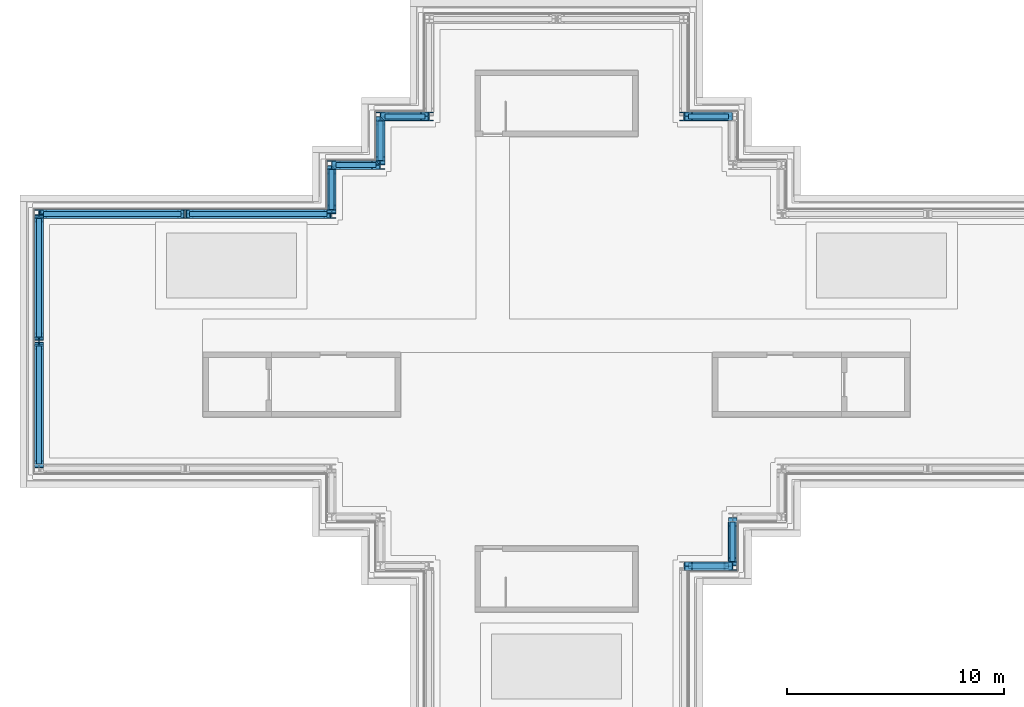
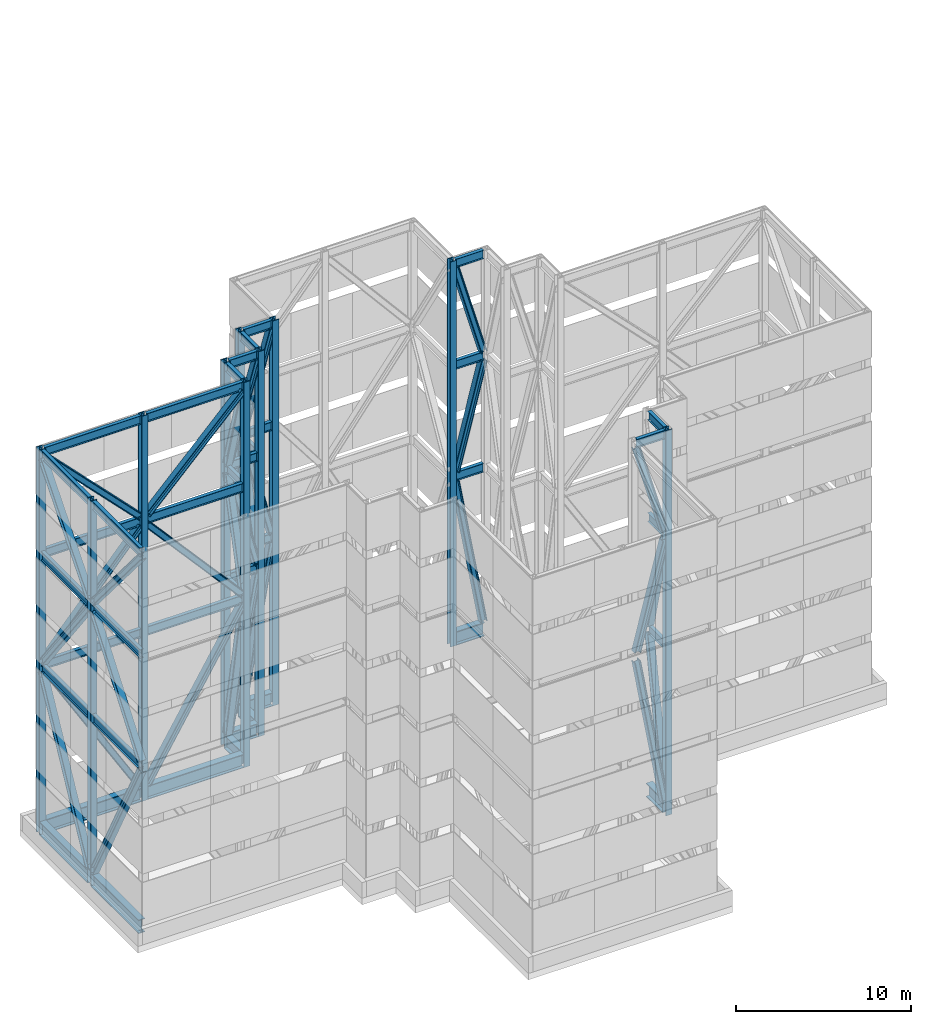
# One storey, part 2 of 19: 83 members.
"""IFC4 building model written with IfcOpenShell, lengths in metres."""

import ifcopenshell
import ifcopenshell.guid

model = None  # the IFC model being written
_history = None  # IfcOwnerHistory: only IFC2X3 demands one
_inside = {}  # id of a spatial element -> (the spatial element, [elements in it])
_under = {}  # id of a project, library or spatial element -> (it, [spatial elements below it])
_declared = {}  # id of a project -> (the project, [libraries it declares])
_typed = {}  # id of a type object -> (the type object, [elements of that type])
_made_of = {}  # id of a material, layer set ... -> (it, [elements and type objects made of it])


def new_model(schema):
    """Start an empty IFC model of exactly this schema.

    Asked for "IFC4X3", IfcOpenShell would pick the latest addendum, in which some entities
    have other attributes; the version numbers below select the first issue.
    IFC2X3 requires an IfcOwnerHistory on every rooted entity: one is made here for all.
    """
    global model, _history
    if schema == "IFC4X3":
        model = ifcopenshell.file(schema_version=(4, 3, 0, 0))
    else:
        model = ifcopenshell.file(schema=schema)
    _inside.clear()
    _under.clear()
    _declared.clear()
    _typed.clear()
    _made_of.clear()
    _history = None
    if model.schema == "IFC2X3":
        org = make("IfcOrganization", Name="unknown")
        user = make(
            "IfcPersonAndOrganization",
            ThePerson=make("IfcPerson", FamilyName="unknown"),
            TheOrganization=org,
        )
        app = make(
            "IfcApplication",
            ApplicationDeveloper=org,
            Version="unknown",
            ApplicationFullName="unknown",
            ApplicationIdentifier="unknown",
        )
        _history = make(
            "IfcOwnerHistory",
            OwningUser=user,
            OwningApplication=app,
            ChangeAction="ADDED",
            CreationDate=0,
        )
    return model


def make(cls, **values):
    """One entity of the class cls with the attributes given. An attribute that is None is left unset."""
    return model.create_entity(
        cls, **{name: value for name, value in values.items() if value is not None}
    )


def rooted(cls, **values):
    """An entity with a GlobalId (a new one), such as an element, a storey or a relation."""
    return make(cls, GlobalId=ifcopenshell.guid.new(), OwnerHistory=_history, **values)


def si_unit(unit_type, name, prefix=None):
    """IfcSIUnit, for example si_unit("LENGTHUNIT", "METRE", prefix="MILLI")."""
    return make("IfcSIUnit", UnitType=unit_type, Prefix=prefix, Name=name)


def assignment(units):
    """IfcUnitAssignment: the units of a project."""
    return None if units is None else make("IfcUnitAssignment", Units=units)


def point(xyz):
    """IfcCartesianPoint."""
    return None if xyz is None else make("IfcCartesianPoint", Coordinates=xyz)


def direction(xyz):
    """IfcDirection."""
    return None if xyz is None else make("IfcDirection", DirectionRatios=xyz)


def frame(location, z_axis=None, x_axis=None):
    """IfcAxis2Placement3D, a coordinate frame: its origin and axes. An axis left out is left unset."""
    return make(
        "IfcAxis2Placement3D",
        Location=point(location),
        Axis=direction(z_axis),
        RefDirection=direction(x_axis),
    )


def frame_2d(location, x_axis=None):
    """IfcAxis2Placement2D, a coordinate frame in the plane: its origin and x axis."""
    return make(
        "IfcAxis2Placement2D", Location=point(location), RefDirection=direction(x_axis)
    )


def origin():
    """The frame at (0, 0, 0) with its axes left unset."""
    return frame((0.0, 0.0, 0.0))


def origin_2d():
    """The frame at (0, 0) in the plane with its x axis left unset."""
    return frame_2d((0.0, 0.0))


def place(relative_to, where):
    """IfcLocalPlacement: puts the frame where relative to a parent placement (None: the world)."""
    return make(
        "IfcLocalPlacement", PlacementRelTo=relative_to, RelativePlacement=where
    )


def context(
    kind, dimensions, precision=None, world=None, true_north=None, identifier=None
):
    """IfcGeometricRepresentationContext, for example the 3D "Model" context."""
    return make(
        "IfcGeometricRepresentationContext",
        ContextIdentifier=identifier,
        ContextType=kind,
        CoordinateSpaceDimension=dimensions,
        Precision=precision,
        WorldCoordinateSystem=world,
        TrueNorth=true_north,
    )


def subcontext(parent, identifier, kind, view, scale=None):
    """IfcGeometricRepresentationSubContext, for example "Body" below "Model"."""
    return make(
        "IfcGeometricRepresentationSubContext",
        ContextIdentifier=identifier,
        ContextType=kind,
        ParentContext=parent,
        TargetScale=scale,
        TargetView=view,
    )


def project(units=None, contexts=None):
    """IfcProject with its units and contexts."""
    return rooted(
        "IfcProject",
        Name="project",
        RepresentationContexts=contexts,
        UnitsInContext=assignment(units),
    )


def spatial(cls, under=None, at=None, **own):
    """A site, building, storey or space (cls), placed at a placement, below another one or the project."""
    s = rooted(cls, ObjectPlacement=at, **own)
    if under is not None:
        _under.setdefault(under.id(), (under, []))[1].append(s)
    return s


def profile(cls, at=None, kind="AREA", **sizes):
    """A parametric profile (cls). Its sizes go by their IFC names, for example OverallWidth=200.0."""
    return make(cls, ProfileType=kind, Position=at, **sizes)


def i_section(**sizes):
    """IfcIShapeProfileDef."""
    return profile("IfcIShapeProfileDef", **sizes)


def extrude(swept, where, along, depth):
    """IfcExtrudedAreaSolid: the profile swept, set in the frame where, extruded along a direction by depth."""
    return make(
        "IfcExtrudedAreaSolid",
        SweptArea=swept,
        Position=where,
        ExtrudedDirection=direction(along),
        Depth=depth,
    )


def shape(context_of_items, identifier, shape_type, items):
    """IfcShapeRepresentation: the items that make up one representation, for example the "Body"."""
    return make(
        "IfcShapeRepresentation",
        ContextOfItems=context_of_items,
        RepresentationIdentifier=identifier,
        RepresentationType=shape_type,
        Items=items,
    )


def material(Name=None, Category=None):
    """IfcMaterial."""
    return make("IfcMaterial", Name=Name, Category=Category)


def material_profile(
    of_material, cross_section, Name=None, Category=None, Priority=None
):
    """IfcMaterialProfile: a cross section and its material."""
    return make(
        "IfcMaterialProfile",
        Name=Name,
        Material=of_material,
        Profile=cross_section,
        Priority=Priority,
        Category=Category,
    )


def profile_set(profiles, Name=None, composite=None):
    """IfcMaterialProfileSet."""
    return make(
        "IfcMaterialProfileSet",
        Name=Name,
        MaterialProfiles=profiles,
        CompositeProfile=composite,
    )


def made_of(thing, what):
    """Note that an element or type object is made of a material, layer set ...; save() writes the relation."""
    if what is not None:
        _made_of.setdefault(what.id(), (what, []))[1].append(thing)
    return thing


def type_object(cls, material=None, **own):
    """A type object (cls), such as IfcWallType, which elements share."""
    return made_of(rooted(cls, **own), material)


def element(
    cls,
    number,
    at=None,
    inside=None,
    cuts=None,
    type_object=None,
    material=None,
    context=None,
    identifier="Body",
    shape_type=None,
    held_by="IfcProductDefinitionShape",
    body=None,
    shapes=None,
    **own,
):
    """One element of the class cls, such as IfcWall. Its Tag is "e" and its number.

    at: its placement. inside: the storey or other place that contains it. cuts: it is an
    opening in that element (IfcRelVoidsElement). A single representation is given by context,
    identifier, shape_type and body (its items); several are given by shapes. held_by: the class
    of the entity that holds the representations. save() writes the other relations.
    """
    e = rooted(cls, Tag="e%d" % number, ObjectPlacement=at, **own)
    if body is not None:
        shapes = [shape(context, identifier, shape_type, body)]
    if shapes is not None:
        e.Representation = make(held_by, Representations=shapes)
    if inside is not None:
        _inside.setdefault(inside.id(), (inside, []))[1].append(e)
    if cuts is not None:
        rooted(
            "IfcRelVoidsElement", RelatingBuildingElement=cuts, RelatedOpeningElement=e
        )
    if type_object is not None:
        _typed.setdefault(type_object.id(), (type_object, []))[1].append(e)
    return made_of(e, material)


def aggregate(whole, parts):
    """IfcRelAggregates: a whole, such as a stair, and the parts it consists of."""
    return rooted("IfcRelAggregates", RelatingObject=whole, RelatedObjects=parts)


def save(model, path):
    """Write the relations noted so far, then the file.

    IfcRelAggregates (storeys below a building ...), IfcRelContainedInSpatialStructure (elements
    in a storey), IfcRelDefinesByType, IfcRelAssociatesMaterial and IfcRelDeclares: one each for
    every whole, place, type object, material and project.
    """
    for whole, parts in _under.values():
        aggregate(whole, parts)
    for where, things in _inside.values():
        rooted(
            "IfcRelContainedInSpatialStructure",
            RelatedElements=things,
            RelatingStructure=where,
        )
    for kind, things in _typed.values():
        rooted("IfcRelDefinesByType", RelatedObjects=things, RelatingType=kind)
    for what, things in _made_of.values():
        rooted("IfcRelAssociatesMaterial", RelatedObjects=things, RelatingMaterial=what)
    for by, libraries in _declared.values():
        rooted("IfcRelDeclares", RelatingContext=by, RelatedDefinitions=libraries)
    model.write(path)


model = new_model("IFC4")

# Units and contexts
model_context = context("Model", 3, precision=1e-05, world=origin(), true_north=direction((0.0, 1.0)))
body_context = subcontext(model_context, "Body", "Model", "MODEL_VIEW")
ifc_project = project(units=[si_unit("LENGTHUNIT", "METRE"), si_unit("AREAUNIT", "SQUARE_METRE"), si_unit("VOLUMEUNIT", "CUBIC_METRE"), si_unit("PLANEANGLEUNIT", "RADIAN"), si_unit("MASSUNIT", "GRAM", prefix="KILO")], contexts=[model_context])

# Site, building, storey
site_placement = place(None, origin())
site = spatial("IfcSite", under=ifc_project, at=site_placement, CompositionType="ELEMENT")
building_placement = place(site_placement, origin())
building = spatial("IfcBuilding", under=site, at=building_placement, Name="Shamsa Quay Exchange Towers", CompositionType="ELEMENT")
storey_placement = place(building_placement, frame((0.0, 0.0, 284.300048828125)))
storey = spatial("IfcBuildingStorey", under=building, at=storey_placement, Name="Roof", CompositionType="ELEMENT", Elevation=284.300048828125)

# Members
ifc_material = material(Name="Steel S355", Category="steel")
ifc_material_profile_1 = material_profile(ifc_material, i_section(OverallWidth=0.423095703125, OverallDepth=0.947265625, WebThickness=0.02392578125, FlangeThickness=0.042724609375, at=origin_2d()), Name="W36x302")
ifc_profile_set_1 = profile_set([ifc_material_profile_1], Name="Steel S355")
member_type_1 = type_object("IfcMemberType", Name="Crown frame base ring girder W36x302", PredefinedType="USERDEFINED", material=ifc_profile_set_1)
member_1_placement = place(storey_placement, frame((-25.625, -10.1669921875, 0.4736328125), z_axis=(0.0, 1.0, 0.0), x_axis=(-1.0, 0.0, 0.0)))
element("IfcMember", 1, at=member_1_placement, inside=storey, type_object=member_type_1, Name="Crown frame base ring girder T1", ObjectType="CROWN FRAME", PredefinedType="USERDEFINED", context=body_context, shape_type="SweptSolid", body=[
    extrude(i_section(OverallWidth=0.423095703125, OverallDepth=0.947265625, WebThickness=0.02392578125, FlangeThickness=0.042724609375, at=origin_2d()), origin(), (0.0, 0.0, 1.0), 1.833984375),
])
for number, where, z_axis, x_axis, name in (
    (2, (-25.828125, 10.375, 0.4736328125), (-1.0, 0.0, 0.0), (0.0, -1.0, 0.0), "Crown frame base ring girder T1"),
    (3, (-39.828125, 10.375, 0.4736328125), (-1.0, 0.0, 0.0), (0.0, -1.0, 0.0), "Crown frame base ring girder T1"),
):
    element("IfcMember", number, at=place(storey_placement, frame(where, z_axis=z_axis, x_axis=x_axis)), inside=storey, type_object=member_type_1, Name=name, ObjectType="CROWN FRAME", PredefinedType="USERDEFINED", context=body_context, shape_type="SweptSolid", body=[
        extrude(i_section(OverallWidth=0.423095703125, OverallDepth=0.947265625, WebThickness=0.02392578125, FlangeThickness=0.042724609375, at=origin_2d()), origin(), (0.0, 0.0, 1.0), 1.84375),
    ])
member_2_placement = place(storey_placement, frame((-41.875, 10.1669921875, 0.4736328125), z_axis=(0.0, -1.0, 0.0), x_axis=(1.0, 0.0, 0.0)))
element("IfcMember", 4, at=member_2_placement, inside=storey, type_object=member_type_1, Name="Crown frame base ring girder T1", ObjectType="CROWN FRAME", PredefinedType="USERDEFINED", context=body_context, shape_type="SweptSolid", body=[
    extrude(i_section(OverallWidth=0.423095703125, OverallDepth=0.947265625, WebThickness=0.02392578125, FlangeThickness=0.042724609375, at=origin_2d()), origin(), (0.0, 0.0, 1.0), 1.833984375),
])
member_3_placement = place(storey_placement, frame((-42.078125, 8.125, 0.4736328125), z_axis=(-1.0, 0.0, 0.0), x_axis=(0.0, -1.0, 0.0)))
element("IfcMember", 5, at=member_3_placement, inside=storey, type_object=member_type_1, Name="Crown frame base ring girder T1", ObjectType="CROWN FRAME", PredefinedType="USERDEFINED", context=body_context, shape_type="SweptSolid", body=[
    extrude(i_section(OverallWidth=0.423095703125, OverallDepth=0.947265625, WebThickness=0.02392578125, FlangeThickness=0.042724609375, at=origin_2d()), origin(), (0.0, 0.0, 1.0), 1.84375),
])
member_4_placement = place(storey_placement, frame((-44.125, 7.9169921875, 0.4736328125), z_axis=(0.0, -1.0, 0.0), x_axis=(1.0, 0.0, 0.0)))
element("IfcMember", 6, at=member_4_placement, inside=storey, type_object=member_type_1, Name="Crown frame base ring girder T1", ObjectType="CROWN FRAME", PredefinedType="USERDEFINED", context=body_context, shape_type="SweptSolid", body=[
    extrude(i_section(OverallWidth=0.423095703125, OverallDepth=0.947265625, WebThickness=0.02392578125, FlangeThickness=0.042724609375, at=origin_2d()), origin(), (0.0, 0.0, 1.0), 1.833984375),
])
for number, where, z_axis, x_axis, name in (
    (7, (-44.328125, 5.875, 0.4736328125), (-1.0, 0.0, 0.0), (0.0, -1.0, 0.0), "Crown frame base ring girder T1"),
    (8, (-51.078125, 5.875, 0.4736328125), (-1.0, 0.0, 0.0), (0.0, -1.0, 0.0), "Crown frame base ring girder T1"),
):
    element("IfcMember", number, at=place(storey_placement, frame(where, z_axis=z_axis, x_axis=x_axis)), inside=storey, type_object=member_type_1, Name=name, ObjectType="CROWN FRAME", PredefinedType="USERDEFINED", context=body_context, shape_type="SweptSolid", body=[
        extrude(i_section(OverallWidth=0.423095703125, OverallDepth=0.947265625, WebThickness=0.02392578125, FlangeThickness=0.042724609375, at=origin_2d()), origin(), (0.0, 0.0, 1.0), 6.34375),
    ])
for number, where, z_axis, x_axis, name in (
    (9, (-57.625, 5.6669921875, 0.4736328125), (0.0, -1.0, 0.0), (1.0, 0.0, 0.0), "Crown frame base ring girder T1"),
    (10, (-57.625, -0.2080078125, 0.4736328125), (0.0, -1.0, 0.0), (1.0, 0.0, 0.0), "Crown frame base ring girder T1"),
):
    element("IfcMember", number, at=place(storey_placement, frame(where, z_axis=z_axis, x_axis=x_axis)), inside=storey, type_object=member_type_1, Name=name, ObjectType="CROWN FRAME", PredefinedType="USERDEFINED", context=body_context, shape_type="SweptSolid", body=[
        extrude(i_section(OverallWidth=0.423095703125, OverallDepth=0.947265625, WebThickness=0.02392578125, FlangeThickness=0.042724609375, at=origin_2d()), origin(), (0.0, 0.0, 1.0), 5.458984375),
    ])
ifc_material_profile_2 = material_profile(ifc_material, i_section(OverallWidth=0.403564453125, OverallDepth=0.407470703125, WebThickness=0.027099609375, FlangeThickness=0.043701171875, at=origin_2d()), Name="W14x233")
ifc_profile_set_2 = profile_set([ifc_material_profile_2], Name="Steel S355")
member_type_2 = type_object("IfcMemberType", Name="Crown frame brace W14x233", PredefinedType="USERDEFINED", material=ifc_profile_set_2)
member_5_placement = place(storey_placement, frame((-27.671875, -10.375, 11.393798828125), z_axis=(0.173807653572, 0.0, -0.984779619793), x_axis=(0.0, 1.0, 0.0)))
element("IfcMember", 11, at=member_5_placement, inside=storey, type_object=member_type_2, Name="Crown frame brace T1", ObjectType="CROWN FRAME", PredefinedType="USERDEFINED", context=body_context, shape_type="SweptSolid", body=[
    extrude(i_section(OverallWidth=0.403564453125, OverallDepth=0.407470703125, WebThickness=0.027099609375, FlangeThickness=0.043701171875, at=origin_2d()), origin(), (0.0, 0.0, 1.0), 10.60791015625),
])
member_6_placement = place(storey_placement, frame((-27.671875, -10.375, 12.006103515625), z_axis=(0.248468754818, 0.0, 0.96863991136), x_axis=(0.0, 1.0, 0.0)))
element("IfcMember", 12, at=member_6_placement, inside=storey, type_object=member_type_2, Name="Crown frame brace T1", ObjectType="CROWN FRAME", PredefinedType="USERDEFINED", context=body_context, shape_type="SweptSolid", body=[
    extrude(i_section(OverallWidth=0.403564453125, OverallDepth=0.407470703125, WebThickness=0.027099609375, FlangeThickness=0.043701171875, at=origin_2d()), origin(), (0.0, 0.0, 1.0), 7.42041015625),
])
member_7_placement = place(storey_placement, frame((-27.671875, -10.375, 26.287841796875), z_axis=(0.27359172731, 0.0, -0.961845916323), x_axis=(0.0, 1.0, 0.0)))
element("IfcMember", 13, at=member_7_placement, inside=storey, type_object=member_type_2, Name="Crown frame brace T1", ObjectType="CROWN FRAME", PredefinedType="USERDEFINED", context=body_context, shape_type="SweptSolid", body=[
    extrude(i_section(OverallWidth=0.403564453125, OverallDepth=0.407470703125, WebThickness=0.027099609375, FlangeThickness=0.043701171875, at=origin_2d()), origin(), (0.0, 0.0, 1.0), 6.739013671875),
])
member_8_placement = place(storey_placement, frame((-25.625, -10.1669921875, 0.947265625), z_axis=(0.0, 0.17291465847, 0.984936810606), x_axis=(-1.0, 0.0, 0.0)))
element("IfcMember", 14, at=member_8_placement, inside=storey, type_object=member_type_2, Name="Crown frame brace T1", ObjectType="CROWN FRAME", PredefinedType="USERDEFINED", context=body_context, shape_type="SweptSolid", body=[
    extrude(i_section(OverallWidth=0.403564453125, OverallDepth=0.407470703125, WebThickness=0.027099609375, FlangeThickness=0.043701171875, at=origin_2d()), origin(), (0.0, 0.0, 1.0), 10.606201171875),
])
member_9_placement = place(storey_placement, frame((-25.625, -10.1669921875, 19.19384765625), z_axis=(0.0, 0.247233355894, -0.968955967902), x_axis=(-1.0, 0.0, 0.0)))
element("IfcMember", 15, at=member_9_placement, inside=storey, type_object=member_type_2, Name="Crown frame brace T1", ObjectType="CROWN FRAME", PredefinedType="USERDEFINED", context=body_context, shape_type="SweptSolid", body=[
    extrude(i_section(OverallWidth=0.403564453125, OverallDepth=0.407470703125, WebThickness=0.027099609375, FlangeThickness=0.043701171875, at=origin_2d()), origin(), (0.0, 0.0, 1.0), 7.41796875),
])
member_10_placement = place(storey_placement, frame((-25.828125, 10.375, 0.947265625), z_axis=(-0.173807653572, 0.0, 0.984779619793), x_axis=(0.0, -1.0, 0.0)))
element("IfcMember", 16, at=member_10_placement, inside=storey, type_object=member_type_2, Name="Crown frame brace T1", ObjectType="CROWN FRAME", PredefinedType="USERDEFINED", context=body_context, shape_type="SweptSolid", body=[
    extrude(i_section(OverallWidth=0.403564453125, OverallDepth=0.407470703125, WebThickness=0.027099609375, FlangeThickness=0.043701171875, at=origin_2d()), origin(), (0.0, 0.0, 1.0), 10.60791015625),
])
member_11_placement = place(storey_placement, frame((-25.828125, 10.375, 19.19384765625), z_axis=(-0.248468754818, 0.0, -0.96863991136), x_axis=(0.0, -1.0, 0.0)))
element("IfcMember", 17, at=member_11_placement, inside=storey, type_object=member_type_2, Name="Crown frame brace T1", ObjectType="CROWN FRAME", PredefinedType="USERDEFINED", context=body_context, shape_type="SweptSolid", body=[
    extrude(i_section(OverallWidth=0.403564453125, OverallDepth=0.407470703125, WebThickness=0.027099609375, FlangeThickness=0.043701171875, at=origin_2d()), origin(), (0.0, 0.0, 1.0), 7.42041015625),
])
member_12_placement = place(storey_placement, frame((-25.828125, 10.375, 19.805908203125), z_axis=(-0.27359172731, 0.0, 0.961845916323), x_axis=(0.0, -1.0, 0.0)))
element("IfcMember", 18, at=member_12_placement, inside=storey, type_object=member_type_2, Name="Crown frame brace T1", ObjectType="CROWN FRAME", PredefinedType="USERDEFINED", context=body_context, shape_type="SweptSolid", body=[
    extrude(i_section(OverallWidth=0.403564453125, OverallDepth=0.407470703125, WebThickness=0.027099609375, FlangeThickness=0.043701171875, at=origin_2d()), origin(), (0.0, 0.0, 1.0), 6.739013671875),
])
member_13_placement = place(storey_placement, frame((-39.828125, 10.375, 11.393798828125), z_axis=(-0.173807653572, 0.0, -0.984779619793), x_axis=(0.0, -1.0, 0.0)))
element("IfcMember", 19, at=member_13_placement, inside=storey, type_object=member_type_2, Name="Crown frame brace T1", ObjectType="CROWN FRAME", PredefinedType="USERDEFINED", context=body_context, shape_type="SweptSolid", body=[
    extrude(i_section(OverallWidth=0.403564453125, OverallDepth=0.407470703125, WebThickness=0.027099609375, FlangeThickness=0.043701171875, at=origin_2d()), origin(), (0.0, 0.0, 1.0), 10.60791015625),
])
member_14_placement = place(storey_placement, frame((-39.828125, 10.375, 12.006103515625), z_axis=(-0.248468754818, 0.0, 0.96863991136), x_axis=(0.0, -1.0, 0.0)))
element("IfcMember", 20, at=member_14_placement, inside=storey, type_object=member_type_2, Name="Crown frame brace T1", ObjectType="CROWN FRAME", PredefinedType="USERDEFINED", context=body_context, shape_type="SweptSolid", body=[
    extrude(i_section(OverallWidth=0.403564453125, OverallDepth=0.407470703125, WebThickness=0.027099609375, FlangeThickness=0.043701171875, at=origin_2d()), origin(), (0.0, 0.0, 1.0), 7.42041015625),
])
member_15_placement = place(storey_placement, frame((-39.828125, 10.375, 26.287841796875), z_axis=(-0.27359172731, 0.0, -0.961845916323), x_axis=(0.0, -1.0, 0.0)))
element("IfcMember", 21, at=member_15_placement, inside=storey, type_object=member_type_2, Name="Crown frame brace T1", ObjectType="CROWN FRAME", PredefinedType="USERDEFINED", context=body_context, shape_type="SweptSolid", body=[
    extrude(i_section(OverallWidth=0.403564453125, OverallDepth=0.407470703125, WebThickness=0.027099609375, FlangeThickness=0.043701171875, at=origin_2d()), origin(), (0.0, 0.0, 1.0), 6.739013671875),
])
member_16_placement = place(storey_placement, frame((-41.875, 10.1669921875, 0.947265625), z_axis=(0.0, -0.17291465847, 0.984936810606), x_axis=(1.0, 0.0, 0.0)))
element("IfcMember", 22, at=member_16_placement, inside=storey, type_object=member_type_2, Name="Crown frame brace T1", ObjectType="CROWN FRAME", PredefinedType="USERDEFINED", context=body_context, shape_type="SweptSolid", body=[
    extrude(i_section(OverallWidth=0.403564453125, OverallDepth=0.407470703125, WebThickness=0.027099609375, FlangeThickness=0.043701171875, at=origin_2d()), origin(), (0.0, 0.0, 1.0), 10.606201171875),
])
member_17_placement = place(storey_placement, frame((-41.875, 10.1669921875, 19.19384765625), z_axis=(0.0, -0.247233355894, -0.968955967902), x_axis=(1.0, 0.0, 0.0)))
element("IfcMember", 23, at=member_17_placement, inside=storey, type_object=member_type_2, Name="Crown frame brace T1", ObjectType="CROWN FRAME", PredefinedType="USERDEFINED", context=body_context, shape_type="SweptSolid", body=[
    extrude(i_section(OverallWidth=0.403564453125, OverallDepth=0.407470703125, WebThickness=0.027099609375, FlangeThickness=0.043701171875, at=origin_2d()), origin(), (0.0, 0.0, 1.0), 7.41796875),
])
member_18_placement = place(storey_placement, frame((-41.875, 10.1669921875, 19.805908203125), z_axis=(0.0, -0.272250291508, 0.962226469587), x_axis=(1.0, 0.0, 0.0)))
element("IfcMember", 24, at=member_18_placement, inside=storey, type_object=member_type_2, Name="Crown frame brace T1", ObjectType="CROWN FRAME", PredefinedType="USERDEFINED", context=body_context, shape_type="SweptSolid", body=[
    extrude(i_section(OverallWidth=0.403564453125, OverallDepth=0.407470703125, WebThickness=0.027099609375, FlangeThickness=0.043701171875, at=origin_2d()), origin(), (0.0, 0.0, 1.0), 6.736328125),
])
member_19_placement = place(storey_placement, frame((-42.078125, 8.125, 11.393798828125), z_axis=(-0.173807653572, 0.0, -0.984779619793), x_axis=(0.0, -1.0, 0.0)))
element("IfcMember", 25, at=member_19_placement, inside=storey, type_object=member_type_2, Name="Crown frame brace T1", ObjectType="CROWN FRAME", PredefinedType="USERDEFINED", context=body_context, shape_type="SweptSolid", body=[
    extrude(i_section(OverallWidth=0.403564453125, OverallDepth=0.407470703125, WebThickness=0.027099609375, FlangeThickness=0.043701171875, at=origin_2d()), origin(), (0.0, 0.0, 1.0), 10.60791015625),
])
member_20_placement = place(storey_placement, frame((-42.078125, 8.125, 12.006103515625), z_axis=(-0.248468754818, 0.0, 0.96863991136), x_axis=(0.0, -1.0, 0.0)))
element("IfcMember", 26, at=member_20_placement, inside=storey, type_object=member_type_2, Name="Crown frame brace T1", ObjectType="CROWN FRAME", PredefinedType="USERDEFINED", context=body_context, shape_type="SweptSolid", body=[
    extrude(i_section(OverallWidth=0.403564453125, OverallDepth=0.407470703125, WebThickness=0.027099609375, FlangeThickness=0.043701171875, at=origin_2d()), origin(), (0.0, 0.0, 1.0), 7.42041015625),
])
member_21_placement = place(storey_placement, frame((-42.078125, 8.125, 26.287841796875), z_axis=(-0.27359172731, 0.0, -0.961845916323), x_axis=(0.0, -1.0, 0.0)))
element("IfcMember", 27, at=member_21_placement, inside=storey, type_object=member_type_2, Name="Crown frame brace T1", ObjectType="CROWN FRAME", PredefinedType="USERDEFINED", context=body_context, shape_type="SweptSolid", body=[
    extrude(i_section(OverallWidth=0.403564453125, OverallDepth=0.407470703125, WebThickness=0.027099609375, FlangeThickness=0.043701171875, at=origin_2d()), origin(), (0.0, 0.0, 1.0), 6.739013671875),
])
member_22_placement = place(storey_placement, frame((-44.125, 7.9169921875, 0.947265625), z_axis=(0.0, -0.17291465847, 0.984936810606), x_axis=(1.0, 0.0, 0.0)))
element("IfcMember", 28, at=member_22_placement, inside=storey, type_object=member_type_2, Name="Crown frame brace T1", ObjectType="CROWN FRAME", PredefinedType="USERDEFINED", context=body_context, shape_type="SweptSolid", body=[
    extrude(i_section(OverallWidth=0.403564453125, OverallDepth=0.407470703125, WebThickness=0.027099609375, FlangeThickness=0.043701171875, at=origin_2d()), origin(), (0.0, 0.0, 1.0), 10.606201171875),
])
member_23_placement = place(storey_placement, frame((-44.125, 7.9169921875, 19.19384765625), z_axis=(0.0, -0.247233355894, -0.968955967902), x_axis=(1.0, 0.0, 0.0)))
element("IfcMember", 29, at=member_23_placement, inside=storey, type_object=member_type_2, Name="Crown frame brace T1", ObjectType="CROWN FRAME", PredefinedType="USERDEFINED", context=body_context, shape_type="SweptSolid", body=[
    extrude(i_section(OverallWidth=0.403564453125, OverallDepth=0.407470703125, WebThickness=0.027099609375, FlangeThickness=0.043701171875, at=origin_2d()), origin(), (0.0, 0.0, 1.0), 7.41796875),
])
member_24_placement = place(storey_placement, frame((-44.125, 7.9169921875, 19.805908203125), z_axis=(0.0, -0.272250291508, 0.962226469587), x_axis=(1.0, 0.0, 0.0)))
element("IfcMember", 30, at=member_24_placement, inside=storey, type_object=member_type_2, Name="Crown frame brace T1", ObjectType="CROWN FRAME", PredefinedType="USERDEFINED", context=body_context, shape_type="SweptSolid", body=[
    extrude(i_section(OverallWidth=0.403564453125, OverallDepth=0.407470703125, WebThickness=0.027099609375, FlangeThickness=0.043701171875, at=origin_2d()), origin(), (0.0, 0.0, 1.0), 6.736328125),
])
member_25_placement = place(storey_placement, frame((-44.328125, 5.875, 11.393798828125), z_axis=(-0.519050588784, 0.0, -0.854743520761), x_axis=(0.0, -1.0, 0.0)))
element("IfcMember", 31, at=member_25_placement, inside=storey, type_object=member_type_2, Name="Crown frame brace T1", ObjectType="CROWN FRAME", PredefinedType="USERDEFINED", context=body_context, shape_type="SweptSolid", body=[
    extrude(i_section(OverallWidth=0.403564453125, OverallDepth=0.407470703125, WebThickness=0.027099609375, FlangeThickness=0.043701171875, at=origin_2d()), origin(), (0.0, 0.0, 1.0), 12.221923828125),
])
member_26_placement = place(storey_placement, frame((-44.328125, 5.875, 12.006103515625), z_axis=(-0.661716808405, 0.0, 0.74975386993), x_axis=(0.0, -1.0, 0.0)))
element("IfcMember", 32, at=member_26_placement, inside=storey, type_object=member_type_2, Name="Crown frame brace T1", ObjectType="CROWN FRAME", PredefinedType="USERDEFINED", context=body_context, shape_type="SweptSolid", body=[
    extrude(i_section(OverallWidth=0.403564453125, OverallDepth=0.407470703125, WebThickness=0.027099609375, FlangeThickness=0.043701171875, at=origin_2d()), origin(), (0.0, 0.0, 1.0), 9.5869140625),
])
member_27_placement = place(storey_placement, frame((-44.328125, 5.875, 26.287841796875), z_axis=(-0.699447836177, 0.0, -0.714683653421), x_axis=(0.0, -1.0, 0.0)))
element("IfcMember", 33, at=member_27_placement, inside=storey, type_object=member_type_2, Name="Crown frame brace T1", ObjectType="CROWN FRAME", PredefinedType="USERDEFINED", context=body_context, shape_type="SweptSolid", body=[
    extrude(i_section(OverallWidth=0.403564453125, OverallDepth=0.407470703125, WebThickness=0.027099609375, FlangeThickness=0.043701171875, at=origin_2d()), origin(), (0.0, 0.0, 1.0), 9.069580078125),
])
member_28_placement = place(storey_placement, frame((-51.078125, 5.875, 0.947265625), z_axis=(-0.519050588784, 0.0, 0.854743520761), x_axis=(0.0, -1.0, 0.0)))
element("IfcMember", 34, at=member_28_placement, inside=storey, type_object=member_type_2, Name="Crown frame brace T1", ObjectType="CROWN FRAME", PredefinedType="USERDEFINED", context=body_context, shape_type="SweptSolid", body=[
    extrude(i_section(OverallWidth=0.403564453125, OverallDepth=0.407470703125, WebThickness=0.027099609375, FlangeThickness=0.043701171875, at=origin_2d()), origin(), (0.0, 0.0, 1.0), 12.221923828125),
])
member_29_placement = place(storey_placement, frame((-51.078125, 5.875, 19.19384765625), z_axis=(-0.661716808405, 0.0, -0.74975386993), x_axis=(0.0, -1.0, 0.0)))
element("IfcMember", 35, at=member_29_placement, inside=storey, type_object=member_type_2, Name="Crown frame brace T1", ObjectType="CROWN FRAME", PredefinedType="USERDEFINED", context=body_context, shape_type="SweptSolid", body=[
    extrude(i_section(OverallWidth=0.403564453125, OverallDepth=0.407470703125, WebThickness=0.027099609375, FlangeThickness=0.043701171875, at=origin_2d()), origin(), (0.0, 0.0, 1.0), 9.5869140625),
])
member_30_placement = place(storey_placement, frame((-51.078125, 5.875, 19.805908203125), z_axis=(-0.699447836177, 0.0, 0.714683653421), x_axis=(0.0, -1.0, 0.0)))
element("IfcMember", 36, at=member_30_placement, inside=storey, type_object=member_type_2, Name="Crown frame brace T1", ObjectType="CROWN FRAME", PredefinedType="USERDEFINED", context=body_context, shape_type="SweptSolid", body=[
    extrude(i_section(OverallWidth=0.403564453125, OverallDepth=0.407470703125, WebThickness=0.027099609375, FlangeThickness=0.043701171875, at=origin_2d()), origin(), (0.0, 0.0, 1.0), 9.069580078125),
])
member_31_placement = place(storey_placement, frame((-57.625, 5.6669921875, 11.393798828125), z_axis=(0.0, -0.46314070047, -0.886284768891), x_axis=(1.0, 0.0, 0.0)))
element("IfcMember", 37, at=member_31_placement, inside=storey, type_object=member_type_2, Name="Crown frame brace T1", ObjectType="CROWN FRAME", PredefinedType="USERDEFINED", context=body_context, shape_type="SweptSolid", body=[
    extrude(i_section(OverallWidth=0.403564453125, OverallDepth=0.407470703125, WebThickness=0.027099609375, FlangeThickness=0.043701171875, at=origin_2d()), origin(), (0.0, 0.0, 1.0), 11.786865234375),
])
member_32_placement = place(storey_placement, frame((-57.625, 5.6669921875, 12.006103515625), z_axis=(0.0, -0.604823303721, 0.796359699681), x_axis=(1.0, 0.0, 0.0)))
element("IfcMember", 38, at=member_32_placement, inside=storey, type_object=member_type_2, Name="Crown frame brace T1", ObjectType="CROWN FRAME", PredefinedType="USERDEFINED", context=body_context, shape_type="SweptSolid", body=[
    extrude(i_section(OverallWidth=0.403564453125, OverallDepth=0.407470703125, WebThickness=0.027099609375, FlangeThickness=0.043701171875, at=origin_2d()), origin(), (0.0, 0.0, 1.0), 9.025634765625),
])
member_33_placement = place(storey_placement, frame((-57.625, 5.6669921875, 26.287841796875), z_axis=(0.0, -0.644171231164, -0.764881314284), x_axis=(1.0, 0.0, 0.0)))
element("IfcMember", 39, at=member_33_placement, inside=storey, type_object=member_type_2, Name="Crown frame brace T1", ObjectType="CROWN FRAME", PredefinedType="USERDEFINED", context=body_context, shape_type="SweptSolid", body=[
    extrude(i_section(OverallWidth=0.403564453125, OverallDepth=0.407470703125, WebThickness=0.027099609375, FlangeThickness=0.043701171875, at=origin_2d()), origin(), (0.0, 0.0, 1.0), 8.474365234375),
])
member_34_placement = place(storey_placement, frame((-57.625, -0.2080078125, 0.947265625), z_axis=(0.0, -0.46314070047, 0.886284768891), x_axis=(1.0, 0.0, 0.0)))
element("IfcMember", 40, at=member_34_placement, inside=storey, type_object=member_type_2, Name="Crown frame brace T1", ObjectType="CROWN FRAME", PredefinedType="USERDEFINED", context=body_context, shape_type="SweptSolid", body=[
    extrude(i_section(OverallWidth=0.403564453125, OverallDepth=0.407470703125, WebThickness=0.027099609375, FlangeThickness=0.043701171875, at=origin_2d()), origin(), (0.0, 0.0, 1.0), 11.786865234375),
])
member_35_placement = place(storey_placement, frame((-57.625, -0.2080078125, 19.19384765625), z_axis=(0.0, -0.604823303721, -0.796359699681), x_axis=(1.0, 0.0, 0.0)))
element("IfcMember", 41, at=member_35_placement, inside=storey, type_object=member_type_2, Name="Crown frame brace T1", ObjectType="CROWN FRAME", PredefinedType="USERDEFINED", context=body_context, shape_type="SweptSolid", body=[
    extrude(i_section(OverallWidth=0.403564453125, OverallDepth=0.407470703125, WebThickness=0.027099609375, FlangeThickness=0.043701171875, at=origin_2d()), origin(), (0.0, 0.0, 1.0), 9.025634765625),
])
member_36_placement = place(storey_placement, frame((-57.625, -0.2080078125, 19.805908203125), z_axis=(0.0, -0.644171231164, 0.764881314284), x_axis=(1.0, 0.0, 0.0)))
element("IfcMember", 42, at=member_36_placement, inside=storey, type_object=member_type_2, Name="Crown frame brace T1", ObjectType="CROWN FRAME", PredefinedType="USERDEFINED", context=body_context, shape_type="SweptSolid", body=[
    extrude(i_section(OverallWidth=0.403564453125, OverallDepth=0.407470703125, WebThickness=0.027099609375, FlangeThickness=0.043701171875, at=origin_2d()), origin(), (0.0, 0.0, 1.0), 8.474365234375),
])
ifc_material_profile_3 = material_profile(ifc_material, i_section(OverallWidth=0.40625, OverallDepth=0.416015625, WebThickness=0.02978515625, FlangeThickness=0.048095703125, at=origin_2d()), Name="W14x257")
ifc_profile_set_3 = profile_set([ifc_material_profile_3], Name="Steel S355")
member_type_3 = type_object("IfcMemberType", Name="Crown frame post W14x257", PredefinedType="USERDEFINED", material=ifc_profile_set_3)
for number, where, name in (
    (43, (-25.625, -10.375, 0.0), "Crown frame post T1"),
    (44, (-27.875, 10.375, 0.0), "Crown frame post T1"),
    (45, (-39.625, 10.375, 0.0), "Crown frame post T1"),
    (46, (-41.875, 10.375, 0.0), "Crown frame post T1"),
    (47, (-41.875, 8.125, 0.0), "Crown frame post T1"),
    (48, (-44.125, 8.125, 0.0), "Crown frame post T1"),
    (49, (-44.125, 5.875, 0.0), "Crown frame post T1"),
    (50, (-50.875, 5.875, 0.0), "Crown frame post T1"),
    (51, (-57.625, 5.875, 0.0), "Crown frame post T1"),
    (52, (-57.625, 0.0, 0.0), "Crown frame post T1"),
):
    element("IfcMember", number, at=place(storey_placement, frame(where)), inside=storey, type_object=member_type_3, Name=name, ObjectType="CROWN FRAME", PredefinedType="USERDEFINED", context=body_context, shape_type="SweptSolid", body=[
        extrude(i_section(OverallWidth=0.40625, OverallDepth=0.416015625, WebThickness=0.02978515625, FlangeThickness=0.048095703125, at=origin_2d()), origin(), (0.0, 0.0, 1.0), 26.89990234375),
    ])
ifc_material_profile_4 = material_profile(ifc_material, i_section(OverallWidth=0.22900390625, OverallDepth=0.612060546875, WebThickness=0.011962890625, FlangeThickness=0.01953125, at=origin_2d()), Name="W24x84")
ifc_profile_set_4 = profile_set([ifc_material_profile_4], Name="Steel S355")
member_type_4 = type_object("IfcMemberType", Name="Crown frame ring beam W24x84", PredefinedType="USERDEFINED", material=ifc_profile_set_4)
member_37_placement = place(storey_placement, frame((-27.671875, -10.375, 26.593994140625), z_axis=(1.0, 0.0, 0.0), x_axis=(0.0, 1.0, 0.0)))
element("IfcMember", 53, at=member_37_placement, inside=storey, type_object=member_type_4, Name="Crown frame ring beam T1", ObjectType="CROWN FRAME", PredefinedType="USERDEFINED", context=body_context, shape_type="SweptSolid", body=[
    extrude(i_section(OverallWidth=0.22900390625, OverallDepth=0.612060546875, WebThickness=0.011962890625, FlangeThickness=0.01953125, at=origin_2d()), origin(), (0.0, 0.0, 1.0), 1.84375),
])
for number, where, z_axis, x_axis, name in (
    (54, (-25.625, -10.1669921875, 11.699951171875), (0.0, 1.0, 0.0), (-1.0, 0.0, 0.0), "Crown frame ring beam T1"),
    (55, (-25.625, -10.1669921875, 19.5), (0.0, 1.0, 0.0), (-1.0, 0.0, 0.0), "Crown frame ring beam T1"),
    (56, (-25.625, -10.1669921875, 26.593994140625), (0.0, 1.0, 0.0), (-1.0, 0.0, 0.0), "Crown frame ring beam T1"),
):
    element("IfcMember", number, at=place(storey_placement, frame(where, z_axis=z_axis, x_axis=x_axis)), inside=storey, type_object=member_type_4, Name=name, ObjectType="CROWN FRAME", PredefinedType="USERDEFINED", context=body_context, shape_type="SweptSolid", body=[
        extrude(i_section(OverallWidth=0.22900390625, OverallDepth=0.612060546875, WebThickness=0.011962890625, FlangeThickness=0.01953125, at=origin_2d()), origin(), (0.0, 0.0, 1.0), 1.833984375),
    ])
for number, where, z_axis, x_axis, name in (
    (57, (-25.828125, 10.375, 11.699951171875), (-1.0, 0.0, 0.0), (0.0, -1.0, 0.0), "Crown frame ring beam T1"),
    (58, (-25.828125, 10.375, 19.5), (-1.0, 0.0, 0.0), (0.0, -1.0, 0.0), "Crown frame ring beam T1"),
    (59, (-25.828125, 10.375, 26.593994140625), (-1.0, 0.0, 0.0), (0.0, -1.0, 0.0), "Crown frame ring beam T1"),
    (60, (-39.828125, 10.375, 11.699951171875), (-1.0, 0.0, 0.0), (0.0, -1.0, 0.0), "Crown frame ring beam T1"),
    (61, (-39.828125, 10.375, 19.5), (-1.0, 0.0, 0.0), (0.0, -1.0, 0.0), "Crown frame ring beam T1"),
    (62, (-39.828125, 10.375, 26.593994140625), (-1.0, 0.0, 0.0), (0.0, -1.0, 0.0), "Crown frame ring beam T1"),
):
    element("IfcMember", number, at=place(storey_placement, frame(where, z_axis=z_axis, x_axis=x_axis)), inside=storey, type_object=member_type_4, Name=name, ObjectType="CROWN FRAME", PredefinedType="USERDEFINED", context=body_context, shape_type="SweptSolid", body=[
        extrude(i_section(OverallWidth=0.22900390625, OverallDepth=0.612060546875, WebThickness=0.011962890625, FlangeThickness=0.01953125, at=origin_2d()), origin(), (0.0, 0.0, 1.0), 1.84375),
    ])
for number, where, z_axis, x_axis, name in (
    (63, (-41.875, 10.1669921875, 11.699951171875), (0.0, -1.0, 0.0), (1.0, 0.0, 0.0), "Crown frame ring beam T1"),
    (64, (-41.875, 10.1669921875, 19.5), (0.0, -1.0, 0.0), (1.0, 0.0, 0.0), "Crown frame ring beam T1"),
    (65, (-41.875, 10.1669921875, 26.593994140625), (0.0, -1.0, 0.0), (1.0, 0.0, 0.0), "Crown frame ring beam T1"),
):
    element("IfcMember", number, at=place(storey_placement, frame(where, z_axis=z_axis, x_axis=x_axis)), inside=storey, type_object=member_type_4, Name=name, ObjectType="CROWN FRAME", PredefinedType="USERDEFINED", context=body_context, shape_type="SweptSolid", body=[
        extrude(i_section(OverallWidth=0.22900390625, OverallDepth=0.612060546875, WebThickness=0.011962890625, FlangeThickness=0.01953125, at=origin_2d()), origin(), (0.0, 0.0, 1.0), 1.833984375),
    ])
for number, where, z_axis, x_axis, name in (
    (66, (-42.078125, 8.125, 11.699951171875), (-1.0, 0.0, 0.0), (0.0, -1.0, 0.0), "Crown frame ring beam T1"),
    (67, (-42.078125, 8.125, 19.5), (-1.0, 0.0, 0.0), (0.0, -1.0, 0.0), "Crown frame ring beam T1"),
    (68, (-42.078125, 8.125, 26.593994140625), (-1.0, 0.0, 0.0), (0.0, -1.0, 0.0), "Crown frame ring beam T1"),
):
    element("IfcMember", number, at=place(storey_placement, frame(where, z_axis=z_axis, x_axis=x_axis)), inside=storey, type_object=member_type_4, Name=name, ObjectType="CROWN FRAME", PredefinedType="USERDEFINED", context=body_context, shape_type="SweptSolid", body=[
        extrude(i_section(OverallWidth=0.22900390625, OverallDepth=0.612060546875, WebThickness=0.011962890625, FlangeThickness=0.01953125, at=origin_2d()), origin(), (0.0, 0.0, 1.0), 1.84375),
    ])
for number, where, z_axis, x_axis, name in (
    (69, (-44.125, 7.9169921875, 11.699951171875), (0.0, -1.0, 0.0), (1.0, 0.0, 0.0), "Crown frame ring beam T1"),
    (70, (-44.125, 7.9169921875, 19.5), (0.0, -1.0, 0.0), (1.0, 0.0, 0.0), "Crown frame ring beam T1"),
    (71, (-44.125, 7.9169921875, 26.593994140625), (0.0, -1.0, 0.0), (1.0, 0.0, 0.0), "Crown frame ring beam T1"),
):
    element("IfcMember", number, at=place(storey_placement, frame(where, z_axis=z_axis, x_axis=x_axis)), inside=storey, type_object=member_type_4, Name=name, ObjectType="CROWN FRAME", PredefinedType="USERDEFINED", context=body_context, shape_type="SweptSolid", body=[
        extrude(i_section(OverallWidth=0.22900390625, OverallDepth=0.612060546875, WebThickness=0.011962890625, FlangeThickness=0.01953125, at=origin_2d()), origin(), (0.0, 0.0, 1.0), 1.833984375),
    ])
for number, where, z_axis, x_axis, name in (
    (72, (-44.328125, 5.875, 11.699951171875), (-1.0, 0.0, 0.0), (0.0, -1.0, 0.0), "Crown frame ring beam T1"),
    (73, (-44.328125, 5.875, 19.5), (-1.0, 0.0, 0.0), (0.0, -1.0, 0.0), "Crown frame ring beam T1"),
    (74, (-44.328125, 5.875, 26.593994140625), (-1.0, 0.0, 0.0), (0.0, -1.0, 0.0), "Crown frame ring beam T1"),
    (75, (-51.078125, 5.875, 11.699951171875), (-1.0, 0.0, 0.0), (0.0, -1.0, 0.0), "Crown frame ring beam T1"),
    (76, (-51.078125, 5.875, 19.5), (-1.0, 0.0, 0.0), (0.0, -1.0, 0.0), "Crown frame ring beam T1"),
    (77, (-51.078125, 5.875, 26.593994140625), (-1.0, 0.0, 0.0), (0.0, -1.0, 0.0), "Crown frame ring beam T1"),
):
    element("IfcMember", number, at=place(storey_placement, frame(where, z_axis=z_axis, x_axis=x_axis)), inside=storey, type_object=member_type_4, Name=name, ObjectType="CROWN FRAME", PredefinedType="USERDEFINED", context=body_context, shape_type="SweptSolid", body=[
        extrude(i_section(OverallWidth=0.22900390625, OverallDepth=0.612060546875, WebThickness=0.011962890625, FlangeThickness=0.01953125, at=origin_2d()), origin(), (0.0, 0.0, 1.0), 6.34375),
    ])
for number, where, z_axis, x_axis, name in (
    (78, (-57.625, 5.6669921875, 11.699951171875), (0.0, -1.0, 0.0), (1.0, 0.0, 0.0), "Crown frame ring beam T1"),
    (79, (-57.625, 5.6669921875, 19.5), (0.0, -1.0, 0.0), (1.0, 0.0, 0.0), "Crown frame ring beam T1"),
    (80, (-57.625, 5.6669921875, 26.593994140625), (0.0, -1.0, 0.0), (1.0, 0.0, 0.0), "Crown frame ring beam T1"),
    (81, (-57.625, -0.2080078125, 11.699951171875), (0.0, -1.0, 0.0), (1.0, 0.0, 0.0), "Crown frame ring beam T1"),
    (82, (-57.625, -0.2080078125, 19.5), (0.0, -1.0, 0.0), (1.0, 0.0, 0.0), "Crown frame ring beam T1"),
    (83, (-57.625, -0.2080078125, 26.593994140625), (0.0, -1.0, 0.0), (1.0, 0.0, 0.0), "Crown frame ring beam T1"),
):
    element("IfcMember", number, at=place(storey_placement, frame(where, z_axis=z_axis, x_axis=x_axis)), inside=storey, type_object=member_type_4, Name=name, ObjectType="CROWN FRAME", PredefinedType="USERDEFINED", context=body_context, shape_type="SweptSolid", body=[
        extrude(i_section(OverallWidth=0.22900390625, OverallDepth=0.612060546875, WebThickness=0.011962890625, FlangeThickness=0.01953125, at=origin_2d()), origin(), (0.0, 0.0, 1.0), 5.458984375),
    ])

save(model, "model.ifc")
